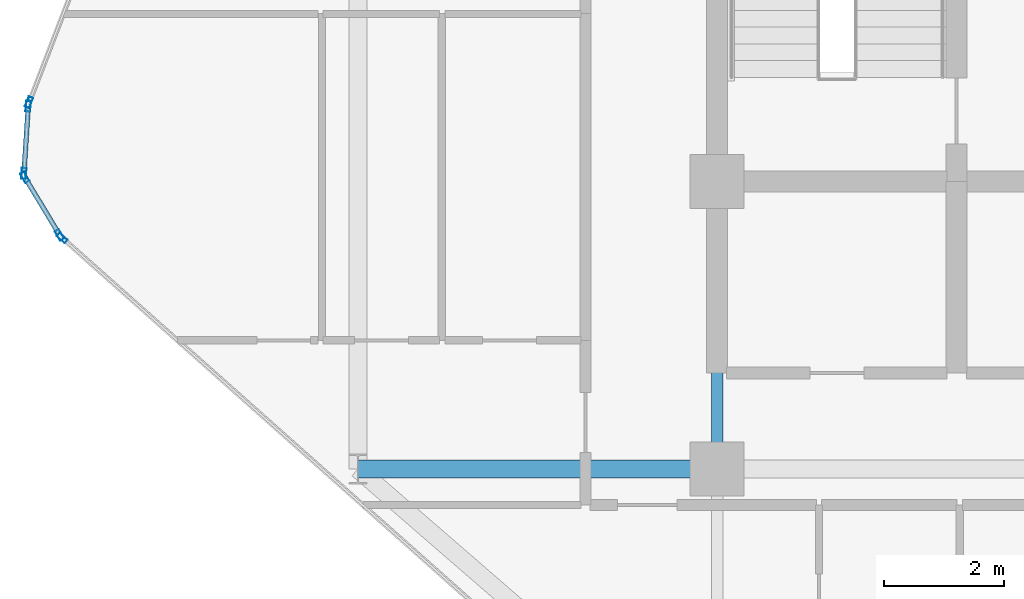
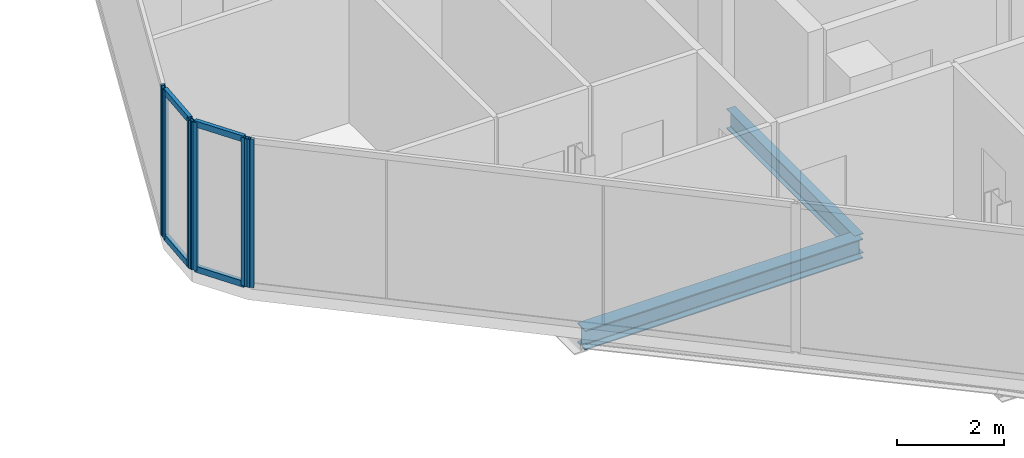
# One storey, part 7 of 32: 10 members, 2 beams, 4 elements without a shape of their own.
"""IFC4 building model written with IfcOpenShell, lengths in metres."""

from ifc_helpers import new_model, si_unit, direction, frame, origin, origin_2d, place, context, subcontext, project, spatial, hollow_rectangle, i_section, extrude, material, layer, layer_set, material_profile, profile_set, type_object, element, aggregate, save


model = new_model("IFC4")

# Units and contexts
model_context = context("Model", 3, precision=1e-05, world=origin(), true_north=direction((0.0, 1.0)))
body_context = subcontext(model_context, "Body", "Model", "MODEL_VIEW")
ifc_project = project(units=[si_unit("LENGTHUNIT", "METRE"), si_unit("AREAUNIT", "SQUARE_METRE"), si_unit("VOLUMEUNIT", "CUBIC_METRE"), si_unit("PLANEANGLEUNIT", "RADIAN"), si_unit("MASSUNIT", "GRAM", prefix="KILO")], contexts=[model_context])

# Site, building, storey
site_placement = place(None, origin())
site = spatial("IfcSite", under=ifc_project, at=site_placement, CompositionType="ELEMENT")
building_placement = place(site_placement, origin())
building = spatial("IfcBuilding", under=site, at=building_placement, Name="Keshet Zoharim Tower", CompositionType="ELEMENT")
storey_placement = place(building_placement, frame((0.0, 0.0, 152.0)))
storey = spatial("IfcBuildingStorey", under=building, at=storey_placement, Name="L37", CompositionType="ELEMENT", Elevation=152.0)

# Beams
ifc_material_1 = material(Name="Steel S355", Category="steel")
ifc_material_profile_1 = material_profile(ifc_material_1, i_section(OverallWidth=0.18994140625, OverallDepth=0.449951171875, WebThickness=0.009521484375, FlangeThickness=0.0146484375, FilletRadius=0.02099609375, at=origin_2d()), Name="IPE450")
ifc_profile_set_1 = profile_set([ifc_material_profile_1], Name="Steel S355")
beam_type_1 = type_object("IfcBeamType", Name="BM-PRI-IP450", PredefinedType="BEAM", material=ifc_profile_set_1)
beam_1_placement = place(storey_placement, frame((15.0, 17.89990234375, -0.5400390625), z_axis=(0.0, 1.0, 0.0), x_axis=(-1.0, 0.0, 0.0)))
element("IfcBeam", 1, at=beam_1_placement, inside=storey, type_object=beam_type_1, Name="L37 Primary Girder Y-003", PredefinedType="BEAM", context=body_context, shape_type="SweptSolid", body=[
    extrude(i_section(OverallWidth=0.18994140625, OverallDepth=0.449951171875, WebThickness=0.009521484375, FlangeThickness=0.0146484375, FilletRadius=0.02099609375, at=origin_2d()), origin(), (0.0, 0.0, 1.0), 4.800048828125),
])
ifc_material_profile_2 = material_profile(ifc_material_1, i_section(OverallWidth=0.300048828125, OverallDepth=0.449951171875, WebThickness=0.013916015625, FlangeThickness=0.02587890625, FilletRadius=0.027099609375, at=origin_2d()), Name="HEB450")
ifc_profile_set_2 = profile_set([ifc_material_profile_2], Name="Steel S355")
beam_type_2 = type_object("IfcBeamType", Name="BM-WEB-HB450", PredefinedType="BEAM", material=ifc_profile_set_2)
beam_2_placement = place(storey_placement, frame((9.0, 17.89990234375, -0.5400390625), z_axis=(1.0, 0.0, 0.0), x_axis=(0.0, 1.0, 0.0)))
element("IfcBeam", 2, at=beam_2_placement, inside=storey, type_object=beam_type_2, Name="L37 Primary Girder X-011", PredefinedType="BEAM", context=body_context, shape_type="SweptSolid", body=[
    extrude(i_section(OverallWidth=0.300048828125, OverallDepth=0.449951171875, WebThickness=0.013916015625, FlangeThickness=0.02587890625, FilletRadius=0.027099609375, at=origin_2d()), origin(), (0.0, 0.0, 1.0), 6.0),
])

# Curtain wall, member
ifc_material_2 = material(Name="Aluminium 6063-T6", Category="aluminium")
ifc_layer = layer(ifc_material_2, 0.159912109375)
ifc_layer_set = layer_set([ifc_layer], Name="Aluminium 6063-T6")
curtain_wall_type = type_object("IfcCurtainWallType", Name="CW-SYS-03", PredefinedType="NOTDEFINED", material=ifc_layer_set)
curtain_wall_1_placement = place(storey_placement, origin())
curtain_wall_1 = element("IfcCurtainWall", 3, at=curtain_wall_1_placement, inside=storey, type_object=curtain_wall_type, Name="L37 Unitised Curtain Wall 07 Part 2", PredefinedType="NOTDEFINED")
ifc_material_profile_3 = material_profile(ifc_material_2, hollow_rectangle(XDim=0.080078125, YDim=0.179931640625, WallThickness=0.00439453125, at=origin_2d()), Name="MUL-80x180")
ifc_profile_set_3 = profile_set([ifc_material_profile_3], Name="Aluminium 6063-T6")
member_type_1 = type_object("IfcMemberType", Name="CWM-M18", PredefinedType="MULLION", material=ifc_profile_set_3)
member_1_placement = place(storey_placement, frame((4.061279296875, 21.7568359375, 0.0), z_axis=(0.0, 0.0, 1.0), x_axis=(-0.664363542589, -0.747409582009, 0.0)))
member_1 = element("IfcMember", 4, at=member_1_placement, type_object=member_type_1, Name="CW-03 mullion 3", PredefinedType="MULLION", context=body_context, shape_type="SweptSolid", body=[
    extrude(hollow_rectangle(XDim=0.080078125, YDim=0.179931640625, WallThickness=0.00439453125, at=origin_2d()), origin(), (0.0, 0.0, 1.0), 3.385009765625),
])
aggregate(curtain_wall_1, [member_1])

# Curtain wall, members
curtain_wall_2_placement = place(storey_placement, origin())
curtain_wall_2 = element("IfcCurtainWall", 5, at=curtain_wall_2_placement, inside=storey, type_object=curtain_wall_type, Name="L37 Unitised Curtain Wall 08", PredefinedType="NOTDEFINED")
member_2_placement = place(storey_placement, frame((4.016845703125, 21.81005859375, 0.0), z_axis=(0.0, 0.0, 1.0), x_axis=(-0.856826433805, -0.515604947933, 0.0)))
member_2 = element("IfcMember", 6, at=member_2_placement, type_object=member_type_1, Name="CW-03 mullion 1", PredefinedType="MULLION", context=body_context, shape_type="SweptSolid", body=[
    extrude(hollow_rectangle(XDim=0.080078125, YDim=0.179931640625, WallThickness=0.00439453125, at=origin_2d()), origin(), (0.0, 0.0, 1.0), 3.385009765625),
])
member_3_placement = place(storey_placement, frame((3.43798828125, 22.77197265625, 0.0), z_axis=(0.0, 0.0, 1.0), x_axis=(-0.856826433805, -0.515604947933, 0.0)))
member_3 = element("IfcMember", 7, at=member_3_placement, type_object=member_type_1, Name="CW-03 mullion 2", PredefinedType="MULLION", context=body_context, shape_type="SweptSolid", body=[
    extrude(hollow_rectangle(XDim=0.080078125, YDim=0.179931640625, WallThickness=0.00439453125, at=origin_2d()), origin(), (0.0, 0.0, 1.0), 3.385009765625),
])

curtain_wall_3_placement = place(storey_placement, origin())
curtain_wall_3 = element("IfcCurtainWall", 8, at=curtain_wall_3_placement, inside=storey, type_object=curtain_wall_type, Name="L37 Unitised Curtain Wall 09", PredefinedType="NOTDEFINED")
member_4_placement = place(storey_placement, frame((3.42236328125, 22.8369140625, 0.0), z_axis=(0.0, 0.0, 1.0), x_axis=(-0.997916617186, 0.064516859374, 0.0)))
member_4 = element("IfcMember", 9, at=member_4_placement, type_object=member_type_1, Name="CW-03 mullion 1", PredefinedType="MULLION", context=body_context, shape_type="SweptSolid", body=[
    extrude(hollow_rectangle(XDim=0.080078125, YDim=0.179931640625, WallThickness=0.00439453125, at=origin_2d()), origin(), (0.0, 0.0, 1.0), 3.385009765625),
])
member_5_placement = place(storey_placement, frame((3.49462890625, 23.9580078125, 0.0), z_axis=(0.0, 0.0, 1.0), x_axis=(-0.997916617186, 0.064516859374, 0.0)))
member_5 = element("IfcMember", 10, at=member_5_placement, type_object=member_type_1, Name="CW-03 mullion 2", PredefinedType="MULLION", context=body_context, shape_type="SweptSolid", body=[
    extrude(hollow_rectangle(XDim=0.080078125, YDim=0.179931640625, WallThickness=0.00439453125, at=origin_2d()), origin(), (0.0, 0.0, 1.0), 3.385009765625),
])

# Curtain wall, member
curtain_wall_4_placement = place(storey_placement, origin())
curtain_wall_4 = element("IfcCurtainWall", 11, at=curtain_wall_4_placement, inside=storey, type_object=curtain_wall_type, Name="L37 Unitised Curtain Wall 10", PredefinedType="NOTDEFINED")
member_6_placement = place(storey_placement, frame((3.509521484375, 24.025634765625, 0.0), z_axis=(0.0, 0.0, 1.0), x_axis=(-0.933341404361, 0.358990003907, 0.0)))
member_6 = element("IfcMember", 12, at=member_6_placement, type_object=member_type_1, Name="CW-03 mullion 1", PredefinedType="MULLION", context=body_context, shape_type="SweptSolid", body=[
    extrude(hollow_rectangle(XDim=0.080078125, YDim=0.179931640625, WallThickness=0.00439453125, at=origin_2d()), origin(), (0.0, 0.0, 1.0), 3.385009765625),
])
aggregate(curtain_wall_4, [member_6])

# Member
ifc_material_profile_4 = material_profile(ifc_material_2, hollow_rectangle(XDim=0.080078125, YDim=0.139892578125, WallThickness=0.00390625, at=origin_2d()), Name="TRN-80x140")
ifc_profile_set_4 = profile_set([ifc_material_profile_4], Name="Aluminium 6063-T6")
member_type_2 = type_object("IfcMemberType", Name="CWT-T14", PredefinedType="USERDEFINED", material=ifc_profile_set_4)
member_7_placement = place(storey_placement, frame((3.9990234375, 21.840087890625, 0.034912109375), z_axis=(-0.515791194107, 0.856714330499, 0.0), x_axis=(-0.856714330499, -0.515791194107, 0.0)))
member_7 = element("IfcMember", 13, at=member_7_placement, type_object=member_type_2, Name="CW-03 transom 1.1", ObjectType="TRANSOM", PredefinedType="USERDEFINED", context=body_context, shape_type="SweptSolid", body=[
    extrude(hollow_rectangle(XDim=0.080078125, YDim=0.139892578125, WallThickness=0.00390625, at=origin_2d()), origin(), (0.0, 0.0, 1.0), 1.052734375),
])

member_8_placement = place(storey_placement, frame((3.9990234375, 21.840087890625, 3.35009765625), z_axis=(-0.515791194107, 0.856714330499, 0.0), x_axis=(-0.856714330499, -0.515791194107, 0.0)))
member_8 = element("IfcMember", 14, at=member_8_placement, type_object=member_type_2, Name="CW-03 transom 1.2", ObjectType="TRANSOM", PredefinedType="USERDEFINED", context=body_context, shape_type="SweptSolid", body=[
    extrude(hollow_rectangle(XDim=0.080078125, YDim=0.139892578125, WallThickness=0.00390625, at=origin_2d()), origin(), (0.0, 0.0, 1.0), 1.052734375),
])

aggregate(curtain_wall_2, [member_2, member_3, member_7, member_8])

member_9_placement = place(storey_placement, frame((3.424560546875, 22.871826171875, 0.034912109375), z_axis=(0.064426947155, 0.997922426083, 0.0), x_axis=(-0.997922426083, 0.064426947155, 0.0)))
member_9 = element("IfcMember", 15, at=member_9_placement, type_object=member_type_2, Name="CW-03 transom 1.1", ObjectType="TRANSOM", PredefinedType="USERDEFINED", context=body_context, shape_type="SweptSolid", body=[
    extrude(hollow_rectangle(XDim=0.080078125, YDim=0.139892578125, WallThickness=0.00390625, at=origin_2d()), origin(), (0.0, 0.0, 1.0), 1.053466796875),
])

member_10_placement = place(storey_placement, frame((3.424560546875, 22.871826171875, 3.35009765625), z_axis=(0.064426947155, 0.997922426083, 0.0), x_axis=(-0.997922426083, 0.064426947155, 0.0)))
member_10 = element("IfcMember", 16, at=member_10_placement, type_object=member_type_2, Name="CW-03 transom 1.2", ObjectType="TRANSOM", PredefinedType="USERDEFINED", context=body_context, shape_type="SweptSolid", body=[
    extrude(hollow_rectangle(XDim=0.080078125, YDim=0.139892578125, WallThickness=0.00390625, at=origin_2d()), origin(), (0.0, 0.0, 1.0), 1.053466796875),
])

aggregate(curtain_wall_3, [member_4, member_5, member_9, member_10])

save(model, "model.ifc")
